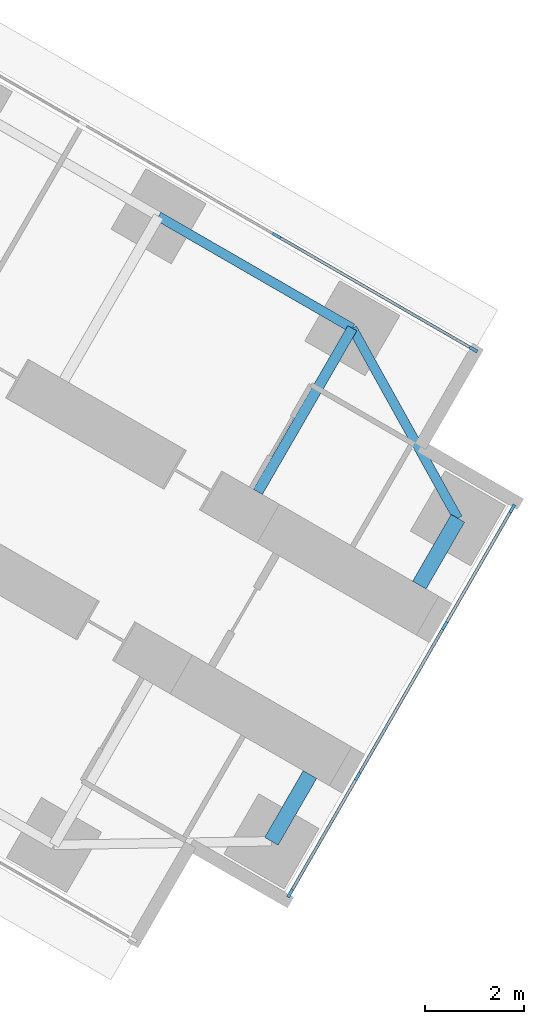
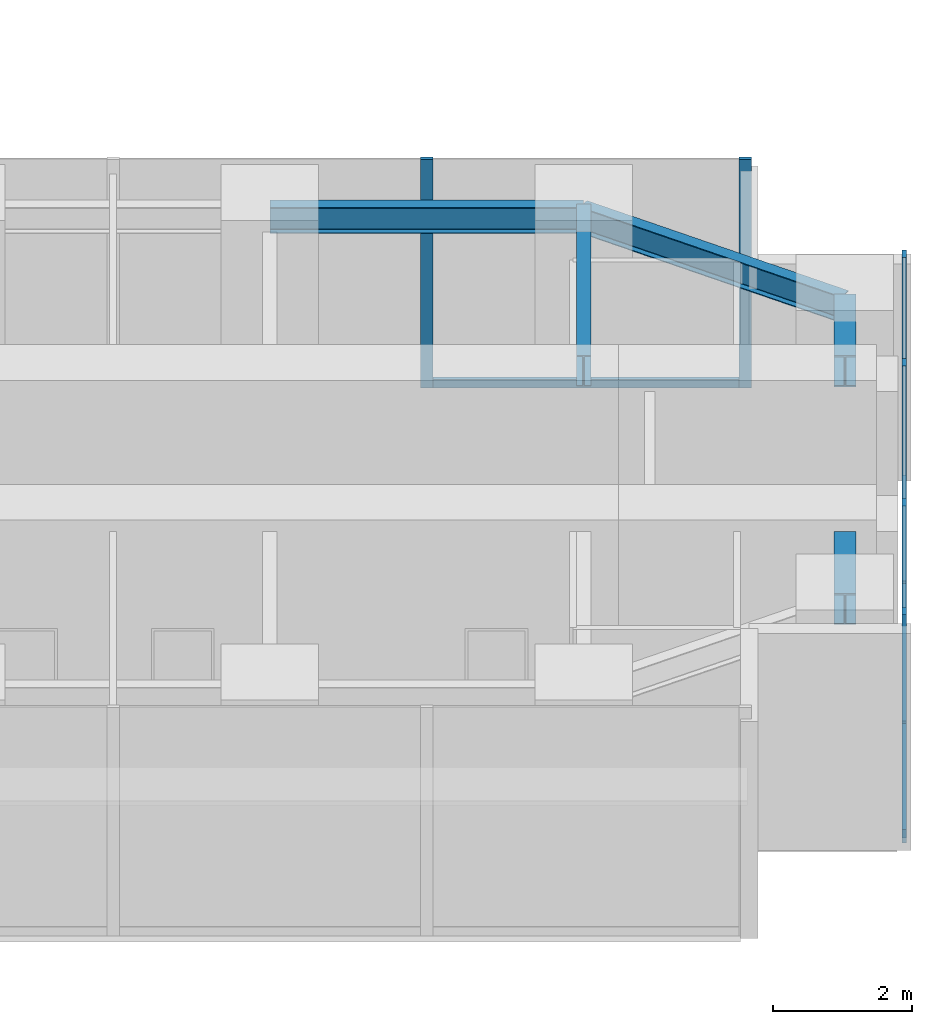
# One storey, part 12 of 25: 10 members, 5 beams, 2 elements without a shape of their own.
"""IFC4 building model written with IfcOpenShell, lengths in metres."""

from ifc_helpers import new_model, si_unit, direction, frame, origin, origin_2d, place, context, subcontext, project, spatial, rectangle, i_section, extrude, material, material_profile, profile_set, type_object, element, aggregate, save


model = new_model("IFC4")

# Units and contexts
model_context = context("Model", 3, precision=1e-05, world=origin(), true_north=direction((0.0, 1.0)))
body_context = subcontext(model_context, "Body", "Model", "MODEL_VIEW")
ifc_project = project(units=[si_unit("LENGTHUNIT", "METRE"), si_unit("AREAUNIT", "SQUARE_METRE"), si_unit("VOLUMEUNIT", "CUBIC_METRE"), si_unit("PLANEANGLEUNIT", "RADIAN"), si_unit("MASSUNIT", "GRAM", prefix="KILO")], contexts=[model_context])

# Site, building, storey
site_placement = place(None, origin())
site = spatial("IfcSite", under=ifc_project, at=site_placement, CompositionType="ELEMENT")
building_placement = place(site_placement, origin())
building = spatial("IfcBuilding", under=site, at=building_placement, Name="Upepo Twin Towers", CompositionType="ELEMENT")
storey_placement = place(building_placement, frame((0.0, 0.0, 76.5)))
storey = spatial("IfcBuildingStorey", under=building, at=storey_placement, Name="L18", CompositionType="ELEMENT", Elevation=76.5)

# Beams
ifc_material_1 = material(Name="Steel S355", Category="steel")
ifc_material_profile_1 = material_profile(ifc_material_1, i_section(OverallWidth=0.1904296875, OverallDepth=0.45703125, WebThickness=0.009033203125, FlangeThickness=0.014404296875, FilletRadius=0.01025390625, at=origin_2d()), Name="UB 457x191x74")
ifc_profile_set_1 = profile_set([ifc_material_profile_1], Name="Steel S355")
beam_type_1 = type_object("IfcBeamType", Name="Beam UB 457x191x74", PredefinedType="BEAM", material=ifc_profile_set_1)
beam_1_placement = place(storey_placement, frame((77.08837890625, -21.803955078125, 3.571533203125), z_axis=(0.866031096941, -0.499990139034, 0.0), x_axis=(0.499990139034, 0.866031096941, 0.0)))
element("IfcBeam", 1, at=beam_1_placement, inside=storey, type_object=beam_type_1, Name="T2 edge beam CL 18.0-22.5", PredefinedType="BEAM", context=body_context, shape_type="SweptSolid", body=[
    extrude(i_section(OverallWidth=0.1904296875, OverallDepth=0.45703125, WebThickness=0.009033203125, FlangeThickness=0.014404296875, FilletRadius=0.01025390625, at=origin_2d()), origin(), (0.0, 0.0, 1.0), 4.5),
])
beam_2_placement = place(storey_placement, frame((80.985595703125, -24.053955078125, 3.571533203125), z_axis=(0.485363242752, -0.874312600038, 0.0), x_axis=(0.874312600038, 0.485363242752, 0.0)))
element("IfcBeam", 2, at=beam_2_placement, inside=storey, type_object=beam_type_1, Name="T2 nose edge beam CL", PredefinedType="BEAM", context=body_context, shape_type="SweptSolid", body=[
    extrude(i_section(OverallWidth=0.1904296875, OverallDepth=0.45703125, WebThickness=0.009033203125, FlangeThickness=0.014404296875, FilletRadius=0.01025390625, at=origin_2d()), origin(), (0.0, 0.0, 1.0), 4.373046875),
])
ifc_material_2 = material(Name="Steel S355", Category="steel")
ifc_material_profile_2 = material_profile(ifc_material_2, i_section(OverallWidth=0.209228515625, OverallDepth=0.533203125, WebThickness=0.010009765625, FlangeThickness=0.015625, FilletRadius=0.0126953125, at=origin_2d()), Name="UB 533x210x92")
ifc_profile_set_2 = profile_set([ifc_material_profile_2], Name="Steel S355")
beam_type_2 = type_object("IfcBeamType", Name="Beam UB 533x210x92", PredefinedType="BEAM", material=ifc_profile_set_2)
beam_3_placement = place(storey_placement, frame((80.985595703125, -24.053955078125, 3.533447265625), z_axis=(-0.499994975061, -0.866028304915, 0.0), x_axis=(0.866028304915, -0.499994975061, 0.0)))
element("IfcBeam", 3, at=beam_3_placement, inside=storey, type_object=beam_type_2, Name="T2 girder CL at 22.5", PredefinedType="BEAM", context=body_context, shape_type="SweptSolid", body=[
    extrude(i_section(OverallWidth=0.209228515625, OverallDepth=0.533203125, WebThickness=0.010009765625, FlangeThickness=0.015625, FilletRadius=0.0126953125, at=origin_2d()), origin(), (0.0, 0.0, 1.0), 3.7998046875),
])
ifc_material_3 = material(Name="Steel S355", Category="steel")
ifc_material_profile_3 = material_profile(ifc_material_3, i_section(OverallWidth=0.31201171875, OverallDepth=0.54345703125, WebThickness=0.0126953125, FlangeThickness=0.020263671875, FilletRadius=0.0126953125, at=origin_2d()), Name="UB 533x312x150")
ifc_profile_set_3 = profile_set([ifc_material_profile_3], Name="Steel S355")
beam_type_3 = type_object("IfcBeamType", Name="Beam UB 533x312x150", PredefinedType="BEAM", material=ifc_profile_set_3)
for number, where, z_axis, x_axis, name in (
    (4, (83.108154296875, -27.87744140625, 3.5283203125), (-0.499967891604, -0.866043940782, 0.0), (0.866043940782, -0.499967891604, 0.0), "T2 nose beam CL"),
    (5, (79.358154296875, -34.37255859375, 3.5283203125), (0.499967891604, 0.866043940782, 0.0), (-0.866043940782, 0.499967891604, 0.0), "T2 nose beam CR"),
):
    element("IfcBeam", number, at=place(storey_placement, frame(where, z_axis=z_axis, x_axis=x_axis)), inside=storey, type_object=beam_type_3, Name=name, PredefinedType="BEAM", context=body_context, shape_type="SweptSolid", body=[
        extrude(i_section(OverallWidth=0.31201171875, OverallDepth=0.54345703125, WebThickness=0.0126953125, FlangeThickness=0.020263671875, FilletRadius=0.0126953125, at=origin_2d()), origin(), (0.0, 0.0, 1.0), 1.5498046875),
    ])

# Curtain wall, members
ifc_material_4 = material(Name="Aluminium and fritted glass", Category="aluminium")
curtain_wall_type = type_object("IfcCurtainWallType", Name="Tower curtain wall TW1, fritted glass", PredefinedType="NOTDEFINED", material=ifc_material_4)
curtain_wall_1_placement = place(storey_placement, origin())
curtain_wall_1 = element("IfcCurtainWall", 6, at=curtain_wall_1_placement, inside=storey, type_object=curtain_wall_type, Name="T2 L18 wing C flank L curtain wall", PredefinedType="NOTDEFINED")
ifc_material_5 = material(Name="Aluminium mullion", Category="aluminium")
ifc_material_profile_4 = material_profile(ifc_material_5, rectangle(XDim=0.06494140625, YDim=0.179931640625, at=origin_2d()), Name="MULLION 65x180")
ifc_profile_set_4 = profile_set([ifc_material_profile_4], Name="Aluminium mullion")
member_type_1 = type_object("IfcMemberType", Name="Mullion 65x180 TW1", PredefinedType="MULLION", material=ifc_profile_set_4)
member_1_placement = place(storey_placement, frame((79.4619140625, -22.192626953125, 0.0), z_axis=(0.0, 0.0, 1.0), x_axis=(0.500000024426, 0.866025389682, 0.0)))
member_1 = element("IfcMember", 7, at=member_1_placement, type_object=member_type_1, Name="T2 L18 wing C flank L curtain wall mullion 3", PredefinedType="MULLION", context=body_context, shape_type="SweptSolid", body=[
    extrude(rectangle(XDim=0.06494140625, YDim=0.179931640625, at=origin_2d()), origin(), (0.0, 0.0, 1.0), 4.0),
])
member_2_placement = place(storey_placement, frame((83.41748046875, -24.4765625, 0.0), z_axis=(0.0, 0.0, 1.0), x_axis=(0.500000024426, 0.866025389682, 0.0)))
member_2 = element("IfcMember", 8, at=member_2_placement, type_object=member_type_1, Name="T2 L18 wing C flank L curtain wall mullion 4", PredefinedType="MULLION", context=body_context, shape_type="SweptSolid", body=[
    extrude(rectangle(XDim=0.06494140625, YDim=0.179931640625, at=origin_2d()), origin(), (0.0, 0.0, 1.0), 4.0),
])

curtain_wall_2_placement = place(storey_placement, origin())
curtain_wall_2 = element("IfcCurtainWall", 9, at=curtain_wall_2_placement, inside=storey, type_object=curtain_wall_type, Name="T2 L18 wing C nose curtain wall", PredefinedType="NOTDEFINED")
member_3_placement = place(storey_placement, frame((79.735595703125, -35.4189453125, 0.0), z_axis=(0.0, 0.0, 1.0), x_axis=(-0.866025386174, 0.500000030502, 0.0)))
member_3 = element("IfcMember", 10, at=member_3_placement, type_object=member_type_1, Name="T2 L18 wing C nose curtain wall mullion 1", PredefinedType="MULLION", context=body_context, shape_type="SweptSolid", body=[
    extrude(rectangle(XDim=0.06494140625, YDim=0.179931640625, at=origin_2d()), origin(), (0.0, 0.0, 1.0), 4.0),
])
member_4_placement = place(storey_placement, frame((81.09423828125, -33.0654296875, 0.0), z_axis=(0.0, 0.0, 1.0), x_axis=(-0.866025386174, 0.500000030502, 0.0)))
member_4 = element("IfcMember", 11, at=member_4_placement, type_object=member_type_1, Name="T2 L18 wing C nose curtain wall mullion 2", PredefinedType="MULLION", context=body_context, shape_type="SweptSolid", body=[
    extrude(rectangle(XDim=0.06494140625, YDim=0.179931640625, at=origin_2d()), origin(), (0.0, 0.0, 1.0), 4.0),
])
member_5_placement = place(storey_placement, frame((82.84423828125, -30.034423828125, 0.0), z_axis=(0.0, 0.0, 1.0), x_axis=(-0.866025386174, 0.500000030502, 0.0)))
member_5 = element("IfcMember", 12, at=member_5_placement, type_object=member_type_1, Name="T2 L18 wing C nose curtain wall mullion 3", PredefinedType="MULLION", context=body_context, shape_type="SweptSolid", body=[
    extrude(rectangle(XDim=0.06494140625, YDim=0.179931640625, at=origin_2d()), origin(), (0.0, 0.0, 1.0), 4.0),
])
member_6_placement = place(storey_placement, frame((84.203125, -27.68115234375, 0.0), z_axis=(0.0, 0.0, 1.0), x_axis=(-0.866025386174, 0.500000030502, 0.0)))
member_6 = element("IfcMember", 13, at=member_6_placement, type_object=member_type_1, Name="T2 L18 wing C nose curtain wall mullion 4", PredefinedType="MULLION", context=body_context, shape_type="SweptSolid", body=[
    extrude(rectangle(XDim=0.06494140625, YDim=0.179931640625, at=origin_2d()), origin(), (0.0, 0.0, 1.0), 4.0),
])

# Member
ifc_material_6 = material(Name="Aluminium transom", Category="aluminium")
ifc_material_profile_5 = material_profile(ifc_material_6, rectangle(XDim=0.06494140625, YDim=0.14990234375, at=origin_2d()), Name="TRANSOM 65x150")
ifc_profile_set_5 = profile_set([ifc_material_profile_5], Name="Aluminium transom")
member_type_2 = type_object("IfcMemberType", Name="Transom 65x150 TW1", PredefinedType="USERDEFINED", material=ifc_profile_set_5)
member_7_placement = place(storey_placement, frame((79.490234375, -22.208984375, 0.074951171875), z_axis=(0.866022143554, -0.500005646842, 0.0), x_axis=(0.500005646842, 0.866022143554, 0.0)))
member_7 = element("IfcMember", 14, at=member_7_placement, type_object=member_type_2, Name="T2 L18 wing C flank L curtain wall transom 3", ObjectType="TRANSOM", PredefinedType="USERDEFINED", context=body_context, shape_type="SweptSolid", body=[
    extrude(rectangle(XDim=0.06494140625, YDim=0.14990234375, at=origin_2d()), origin(), (0.0, 0.0, 1.0), 4.50244140625),
])

aggregate(curtain_wall_1, [member_1, member_2, member_7])

member_8_placement = place(storey_placement, frame((79.751708984375, -35.390869140625, 0.074951171875), z_axis=(0.500049101008, 0.865997053448, 0.0), x_axis=(-0.865997053448, 0.500049101008, 0.0)))
member_8 = element("IfcMember", 15, at=member_8_placement, type_object=member_type_2, Name="T2 L18 wing C nose curtain wall transom 1", ObjectType="TRANSOM", PredefinedType="USERDEFINED", context=body_context, shape_type="SweptSolid", body=[
    extrude(rectangle(XDim=0.06494140625, YDim=0.14990234375, at=origin_2d()), origin(), (0.0, 0.0, 1.0), 2.652587890625),
])

member_9_placement = place(storey_placement, frame((81.110595703125, -33.037353515625, 0.074951171875), z_axis=(0.499999305434, 0.866025804792, 0.0), x_axis=(-0.866025804792, 0.499999305434, 0.0)))
member_9 = element("IfcMember", 16, at=member_9_placement, type_object=member_type_2, Name="T2 L18 wing C nose curtain wall transom 2", ObjectType="TRANSOM", PredefinedType="USERDEFINED", context=body_context, shape_type="SweptSolid", body=[
    extrude(rectangle(XDim=0.06494140625, YDim=0.14990234375, at=origin_2d()), origin(), (0.0, 0.0, 1.0), 3.43505859375),
])

member_10_placement = place(storey_placement, frame((82.860595703125, -30.00634765625, 0.074951171875), z_axis=(0.499980071345, 0.866036909293, 0.0), x_axis=(-0.866036909293, 0.499980071345, 0.0)))
member_10 = element("IfcMember", 17, at=member_10_placement, type_object=member_type_2, Name="T2 L18 wing C nose curtain wall transom 3", ObjectType="TRANSOM", PredefinedType="USERDEFINED", context=body_context, shape_type="SweptSolid", body=[
    extrude(rectangle(XDim=0.06494140625, YDim=0.14990234375, at=origin_2d()), origin(), (0.0, 0.0, 1.0), 2.65234375),
])

aggregate(curtain_wall_2, [member_3, member_4, member_5, member_6, member_8, member_9, member_10])

save(model, "model.ifc")
